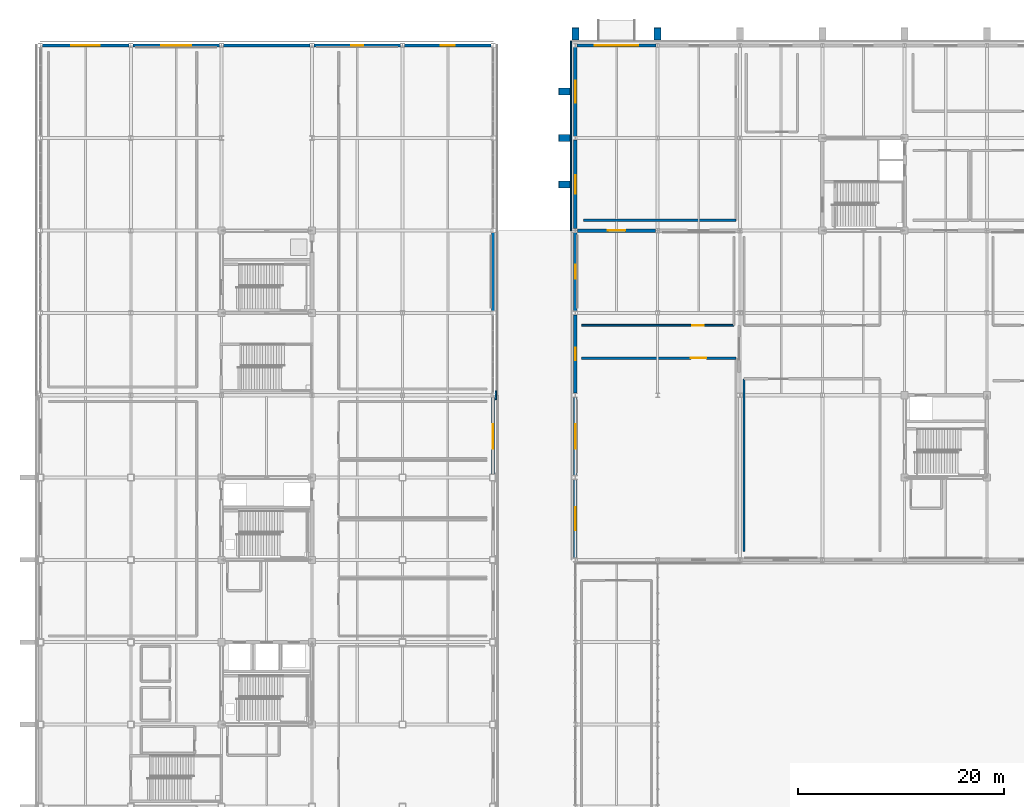
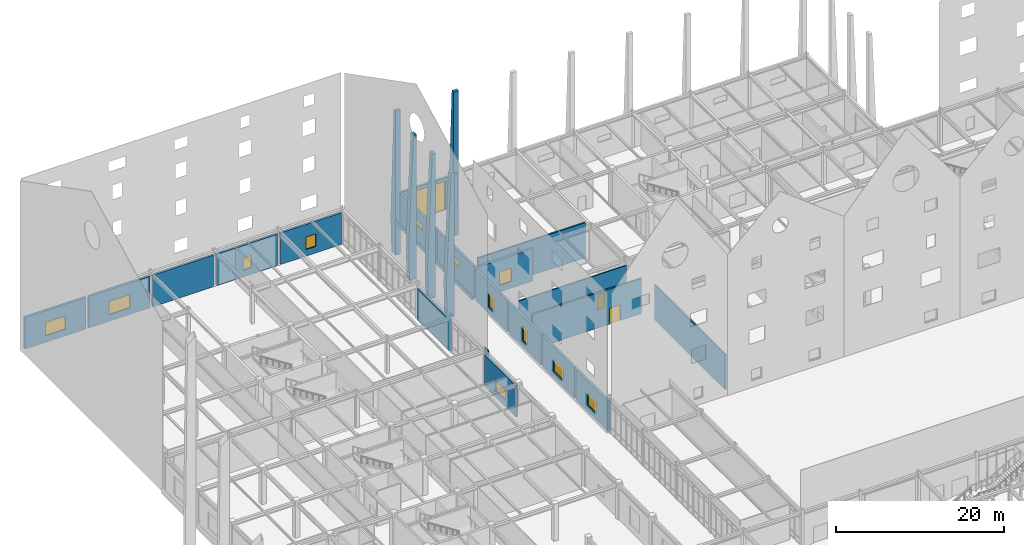
# One storey, part 92 of 119: 26 walls, 12 windows, 3 doors, 15 openings.
"""IFC4 building model written with IfcOpenShell, lengths in metres."""

from ifc_helpers import new_model, si_unit, direction, frame, frame_2d, origin, place, context, subcontext, project, spatial, polyline, rectangle, outline, extrude, material, layer, layer_set, type_object, element, fill, save


model = new_model("IFC4")

# Units and contexts
model_context = context("Model", 3, precision=1e-05, world=origin(), true_north=direction((0.0, 1.0)))
body_context = subcontext(model_context, "Body", "Model", "MODEL_VIEW")
ifc_project = project(units=[si_unit("LENGTHUNIT", "METRE"), si_unit("AREAUNIT", "SQUARE_METRE"), si_unit("VOLUMEUNIT", "CUBIC_METRE"), si_unit("PLANEANGLEUNIT", "RADIAN"), si_unit("MASSUNIT", "GRAM", prefix="KILO")], contexts=[model_context])

# Site, building, storey
site_placement = place(None, origin())
site = spatial("IfcSite", under=ifc_project, at=site_placement, CompositionType="ELEMENT")
building_placement = place(site_placement, origin())
building = spatial("IfcBuilding", under=site, at=building_placement, Name="Zhaolan Boulevard Law Courts", CompositionType="ELEMENT")
storey_placement = place(building_placement, origin())
storey = spatial("IfcBuildingStorey", under=building, at=storey_placement, Name="L00", CompositionType="ELEMENT", Elevation=0.0)

# Walls
ifc_material_1 = material(Name="Concrete C40", Category="concrete")
ifc_layer_1 = layer(ifc_material_1, 0.139892578125)
ifc_layer_set_1 = layer_set([ifc_layer_1])
wall_type_1 = type_object("IfcWallType", Name="EXT WALL ARCH CLAD140", PredefinedType="SOLIDWALL", material=ifc_layer_set_1)
wall_1_placement = place(storey_placement, frame((44.280029296875, 77.580078125, 0.0), z_axis=(0.0, 0.0, 1.0), x_axis=(0.0, 1.0, 0.0)))
element("IfcWall", 1, at=wall_1_placement, inside=storey, type_object=wall_type_1, Name="Concrete Column Cloak Pier CPR-037", PredefinedType="SOLIDWALL", context=body_context, shape_type="SweptSolid", body=[
    extrude(rectangle(XDim=0.83984375, YDim=0.139892578125, at=frame_2d((0.419921875, 0.0))), origin(), (0.0, 0.0, 1.0), 5.139892578125),
])
ifc_material_2 = material(Name="Concrete C40", Category="concrete")
ifc_layer_2 = layer(ifc_material_2, 0.159912109375)
ifc_layer_set_2 = layer_set([ifc_layer_2])
wall_type_2 = type_object("IfcWallType", Name="EXT WALL ARCH CLAD160", PredefinedType="SOLIDWALL", material=ifc_layer_set_2)
wall_2_placement = place(storey_placement, frame((51.580078125, 112.419921875, 0.0), z_axis=(0.0, 0.0, 1.0), x_axis=(0.0, -1.0, 0.0)))
element("IfcWall", 2, at=wall_2_placement, inside=storey, type_object=wall_type_2, Name="Custody Concrete Spandrel Band CBW-252", PredefinedType="SOLIDWALL", context=body_context, shape_type="SweptSolid", body=[
    extrude(rectangle(XDim=18.419921875, YDim=0.159912109375, at=frame_2d((9.2099609375, 0.0))), origin(), (0.0, 0.0, 1.0), 0.550048828125),
])
ifc_material_3 = material(Name="Concrete C40", Category="concrete")
ifc_layer_3 = layer(ifc_material_3, 0.679931640625)
ifc_layer_set_3 = layer_set([ifc_layer_3])
wall_type_3 = type_object("IfcWallType", Name="EXT WALL BUTTRESS680", PredefinedType="SOLIDWALL", material=ifc_layer_set_3)
for number, where, z_axis, x_axis, name in (
    (3, (52.0, 112.5400390625, -4.800048828125), (0.0, 0.0, 1.0), (0.0, 1.0, 0.0), "Custody Battered Concrete Pier BTR-236"),
    (4, (60.0, 112.5400390625, -4.800048828125), (0.0, 0.0, 1.0), (0.0, 1.0, 0.0), "Custody Battered Concrete Pier BTR-237"),
):
    element("IfcWall", number, at=place(storey_placement, frame(where, z_axis=z_axis, x_axis=x_axis)), inside=storey, type_object=wall_type_3, Name=name, PredefinedType="SOLIDWALL", context=body_context, shape_type="SweptSolid", body=[
        extrude(outline(polyline([(0.0, 0.0), (1.0, 0.0), (1.199951171875, 5.050048828125), (0.449951171875, 21.0), (0.0, 21.0), (0.0, 0.0)])), frame((0.0, 0.33984375, 0.0), z_axis=(0.0, -1.0, 0.0), x_axis=(1.0, 0.0, 0.0)), (0.0, 0.0, 1.0), 0.679931640625),
    ])
for number, where, z_axis, x_axis, name in (
    (5, (51.4599609375, 98.5, -4.800048828125), (0.0, 0.0, 1.0), (-1.0, 0.0, 0.0), "Custody Battered Concrete Pier BTR-244"),
    (6, (51.4599609375, 103.0, -4.800048828125), (0.0, 0.0, 1.0), (-1.0, 0.0, 0.0), "Custody Battered Concrete Pier BTR-246"),
    (7, (51.4599609375, 107.5, -4.800048828125), (0.0, 0.0, 1.0), (-1.0, 0.0, 0.0), "Custody Battered Concrete Pier BTR-248"),
):
    element("IfcWall", number, at=place(storey_placement, frame(where, z_axis=z_axis, x_axis=x_axis)), inside=storey, type_object=wall_type_3, Name=name, PredefinedType="SOLIDWALL", context=body_context, shape_type="SweptSolid", body=[
        extrude(outline(polyline([(0.0, 0.0), (1.0, 0.0), (1.10009765625, 5.050048828125), (0.449951171875, 21.0), (0.0, 21.0), (0.0, 0.0)])), frame((0.0, 0.33984375, 0.0), z_axis=(0.0, -1.0, 0.0), x_axis=(1.0, 0.0, 0.0)), (0.0, 0.0, 1.0), 0.679931640625),
    ])

# Wall, opening, window
ifc_material_4 = material(Name="Concrete C40", Category="concrete")
ifc_layer_4 = layer(ifc_material_4, 0.320068359375)
ifc_layer_set_4 = layer_set([ifc_layer_4])
wall_type_4 = type_object("IfcWallType", Name="EXT WALL CONCRETE320", PredefinedType="SOLIDWALL", material=ifc_layer_set_4)
wall_3_placement = place(storey_placement, frame((59.803955078125, 94.0, 0.0), z_axis=(0.0, 0.0, 1.0), x_axis=(-1.0, 0.0, 0.0)))
wall_3 = element("IfcWall", 8, at=wall_3_placement, inside=storey, type_object=wall_type_4, Name="Exterior Wall EW-L00-185", PredefinedType="SOLIDWALL", context=body_context, shape_type="SweptSolid", body=[
    extrude(rectangle(XDim=7.60791015625, YDim=0.320068359375, at=frame_2d((3.803955078125, 0.0))), origin(), (0.0, 0.0, 1.0), 4.6630859375),
])
opening_1_placement = place(wall_3_placement, frame((2.9541015625, 0.0, 0.949951171875)))
opening_1 = element("IfcOpeningElement", 9, at=opening_1_placement, cuts=wall_3, Name="Opening WIN-L00-043", PredefinedType="OPENING", context=body_context, shape_type="SweptSolid", body=[
    extrude(rectangle(XDim=1.699951171875, YDim=1.949951171875, at=frame_2d((0.85009765625, 0.97509765625))), frame((0.0, 0.169921875, 0.0), z_axis=(0.0, -1.0, 0.0), x_axis=(1.0, 0.0, 0.0)), (0.0, 0.0, 1.0), 0.340087890625),
])
ifc_material_5 = material(Name="Thermally broken aluminium and low-E glazing", Category="aluminium")
window_type_1 = type_object("IfcWindowType", Name="WINDOW 1700X1950", PartitioningType="SINGLE_PANEL", PredefinedType="WINDOW", material=ifc_material_5)
window_1_placement = place(opening_1_placement, origin())
window_1 = element("IfcWindow", 10, at=window_1_placement, inside=storey, type_object=window_type_1, Name="Exterior Window WIN-L00-043", OverallHeight=1.949951171875, OverallWidth=1.699951171875, PartitioningType="SINGLE_PANEL", PredefinedType="WINDOW", context=body_context, shape_type="SweptSolid", body=[
    extrude(rectangle(XDim=1.699951171875, YDim=1.949951171875, at=frame_2d((0.85009765625, 0.97509765625))), frame((0.0, 0.030029296875, 0.0), z_axis=(0.0, -1.0, 0.0), x_axis=(1.0, 0.0, 0.0)), (0.0, 0.0, 1.0), 0.06005859375),
])
fill(opening_1, window_1)

wall_4_placement = place(storey_placement, frame((52.0, 69.803955078125, 0.0), z_axis=(0.0, 0.0, 1.0), x_axis=(0.0, -1.0, 0.0)))
wall_4 = element("IfcWall", 11, at=wall_4_placement, inside=storey, type_object=wall_type_4, Name="Exterior Wall EW-L00-197", PredefinedType="SOLIDWALL", context=body_context, shape_type="SweptSolid", body=[
    extrude(rectangle(XDim=7.60791015625, YDim=0.320068359375, at=frame_2d((3.803955078125, 0.0))), origin(), (0.0, 0.0, 1.0), 4.5029296875),
])
opening_2_placement = place(wall_4_placement, frame((2.7041015625, 0.0, 0.949951171875)))
opening_2 = element("IfcOpeningElement", 12, at=opening_2_placement, cuts=wall_4, Name="Opening WIN-L00-055", PredefinedType="OPENING", context=body_context, shape_type="SweptSolid", body=[
    extrude(rectangle(XDim=2.199951171875, YDim=1.800048828125, at=frame_2d((1.10009765625, 0.89990234375))), frame((0.0, 0.169921875, 0.0), z_axis=(0.0, -1.0, 0.0), x_axis=(1.0, 0.0, 0.0)), (0.0, 0.0, 1.0), 0.340087890625),
])
ifc_material_6 = material(Name="Thermally broken aluminium and low-E glazing", Category="aluminium")
window_type_2 = type_object("IfcWindowType", Name="WINDOW 2200X1800", PartitioningType="DOUBLE_PANEL_VERTICAL", PredefinedType="WINDOW", material=ifc_material_6)
window_2_placement = place(opening_2_placement, origin())
window_2 = element("IfcWindow", 13, at=window_2_placement, inside=storey, type_object=window_type_2, Name="Exterior Window WIN-L00-055", OverallHeight=1.800048828125, OverallWidth=2.199951171875, PartitioningType="SINGLE_PANEL", PredefinedType="WINDOW", context=body_context, shape_type="SweptSolid", body=[
    extrude(rectangle(XDim=2.199951171875, YDim=1.800048828125, at=frame_2d((1.10009765625, 0.89990234375))), frame((0.0, 0.030029296875, 0.0), z_axis=(0.0, -1.0, 0.0), x_axis=(1.0, 0.0, 0.0)), (0.0, 0.0, 1.0), 0.06005859375),
])
fill(opening_2, window_2)

wall_5_placement = place(storey_placement, frame((52.0, 77.803955078125, 0.0), z_axis=(0.0, 0.0, 1.0), x_axis=(0.0, -1.0, 0.0)))
wall_5 = element("IfcWall", 14, at=wall_5_placement, inside=storey, type_object=wall_type_4, Name="Exterior Wall EW-L00-198", PredefinedType="SOLIDWALL", context=body_context, shape_type="SweptSolid", body=[
    extrude(rectangle(XDim=7.60791015625, YDim=0.320068359375, at=frame_2d((3.803955078125, 0.0))), origin(), (0.0, 0.0, 1.0), 4.5029296875),
])
opening_3_placement = place(wall_5_placement, frame((2.60400390625, 0.0, 0.949951171875)))
opening_3 = element("IfcOpeningElement", 15, at=opening_3_placement, cuts=wall_5, Name="Opening WIN-L00-056", PredefinedType="OPENING", context=body_context, shape_type="SweptSolid", body=[
    extrude(rectangle(XDim=2.39990234375, YDim=1.800048828125, at=frame_2d((1.199951171875, 0.89990234375))), frame((0.0, 0.169921875, 0.0), z_axis=(0.0, -1.0, 0.0), x_axis=(1.0, 0.0, 0.0)), (0.0, 0.0, 1.0), 0.340087890625),
])
ifc_material_7 = material(Name="Thermally broken aluminium and low-E glazing", Category="aluminium")
window_type_3 = type_object("IfcWindowType", Name="WINDOW 2400X1800", PartitioningType="DOUBLE_PANEL_VERTICAL", PredefinedType="WINDOW", material=ifc_material_7)
window_3_placement = place(opening_3_placement, origin())
window_3 = element("IfcWindow", 16, at=window_3_placement, inside=storey, type_object=window_type_3, Name="Exterior Window WIN-L00-056", OverallHeight=1.800048828125, OverallWidth=2.39990234375, PartitioningType="SINGLE_PANEL", PredefinedType="WINDOW", context=body_context, shape_type="SweptSolid", body=[
    extrude(rectangle(XDim=2.39990234375, YDim=1.800048828125, at=frame_2d((1.199951171875, 0.89990234375))), frame((0.0, 0.030029296875, 0.0), z_axis=(0.0, -1.0, 0.0), x_axis=(1.0, 0.0, 0.0)), (0.0, 0.0, 1.0), 0.06005859375),
])
fill(opening_3, window_3)

wall_6_placement = place(storey_placement, frame((52.0, 85.803955078125, 0.0), z_axis=(0.0, 0.0, 1.0), x_axis=(0.0, -1.0, 0.0)))
wall_6 = element("IfcWall", 17, at=wall_6_placement, inside=storey, type_object=wall_type_4, Name="Exterior Wall EW-L00-199", PredefinedType="SOLIDWALL", context=body_context, shape_type="SweptSolid", body=[
    extrude(rectangle(XDim=7.60791015625, YDim=0.320068359375, at=frame_2d((3.803955078125, 0.0))), origin(), (0.0, 0.0, 1.0), 4.5029296875),
])
opening_4_placement = place(wall_6_placement, frame((3.2041015625, 0.0, 0.949951171875)))
opening_4 = element("IfcOpeningElement", 18, at=opening_4_placement, cuts=wall_6, Name="Opening WIN-L00-057", PredefinedType="OPENING", context=body_context, shape_type="SweptSolid", body=[
    extrude(rectangle(XDim=1.199951171875, YDim=2.10009765625, at=frame_2d((0.60009765625, 1.050048828125))), frame((0.0, 0.169921875, 0.0), z_axis=(0.0, -1.0, 0.0), x_axis=(1.0, 0.0, 0.0)), (0.0, 0.0, 1.0), 0.340087890625),
])
ifc_material_8 = material(Name="Thermally broken aluminium and low-E glazing", Category="aluminium")
window_type_4 = type_object("IfcWindowType", Name="WINDOW 1200X2100", PartitioningType="SINGLE_PANEL", PredefinedType="WINDOW", material=ifc_material_8)
window_4_placement = place(opening_4_placement, origin())
window_4 = element("IfcWindow", 19, at=window_4_placement, inside=storey, type_object=window_type_4, Name="Exterior Window WIN-L00-057", OverallHeight=2.10009765625, OverallWidth=1.199951171875, PartitioningType="SINGLE_PANEL", PredefinedType="WINDOW", context=body_context, shape_type="SweptSolid", body=[
    extrude(rectangle(XDim=1.199951171875, YDim=2.10009765625, at=frame_2d((0.60009765625, 1.050048828125))), frame((0.0, 0.030029296875, 0.0), z_axis=(0.0, -1.0, 0.0), x_axis=(1.0, 0.0, 0.0)), (0.0, 0.0, 1.0), 0.06005859375),
])
fill(opening_4, window_4)

wall_7_placement = place(storey_placement, frame((52.0, 93.803955078125, 0.0), z_axis=(0.0, 0.0, 1.0), x_axis=(0.0, -1.0, 0.0)))
wall_7 = element("IfcWall", 20, at=wall_7_placement, inside=storey, type_object=wall_type_4, Name="Exterior Wall EW-L00-200", PredefinedType="SOLIDWALL", context=body_context, shape_type="SweptSolid", body=[
    extrude(rectangle(XDim=7.60791015625, YDim=0.320068359375, at=frame_2d((3.803955078125, 0.0))), origin(), (0.0, 0.0, 1.0), 4.5029296875),
])
opening_5_placement = place(wall_7_placement, frame((3.12890625, 0.0, 0.949951171875)))
opening_5 = element("IfcOpeningElement", 21, at=opening_5_placement, cuts=wall_7, Name="Opening WIN-L00-058", PredefinedType="OPENING", context=body_context, shape_type="SweptSolid", body=[
    extrude(rectangle(XDim=1.35009765625, YDim=2.10009765625, at=frame_2d((0.675048828125, 1.050048828125))), frame((0.0, 0.169921875, 0.0), z_axis=(0.0, -1.0, 0.0), x_axis=(1.0, 0.0, 0.0)), (0.0, 0.0, 1.0), 0.340087890625),
])
ifc_material_9 = material(Name="Thermally broken aluminium and low-E glazing", Category="aluminium")
window_type_5 = type_object("IfcWindowType", Name="WINDOW 1350X2100", PartitioningType="SINGLE_PANEL", PredefinedType="WINDOW", material=ifc_material_9)
window_5_placement = place(opening_5_placement, origin())
window_5 = element("IfcWindow", 22, at=window_5_placement, inside=storey, type_object=window_type_5, Name="Exterior Window WIN-L00-058", OverallHeight=2.10009765625, OverallWidth=1.35009765625, PartitioningType="SINGLE_PANEL", PredefinedType="WINDOW", context=body_context, shape_type="SweptSolid", body=[
    extrude(rectangle(XDim=1.35009765625, YDim=2.10009765625, at=frame_2d((0.675048828125, 1.050048828125))), frame((0.0, 0.030029296875, 0.0), z_axis=(0.0, -1.0, 0.0), x_axis=(1.0, 0.0, 0.0)), (0.0, 0.0, 1.0), 0.06005859375),
])
fill(opening_5, window_5)

# Wall, opening, door
wall_8_placement = place(storey_placement, frame((59.8291015625, 112.0, 0.0), z_axis=(0.0, 0.0, 1.0), x_axis=(-1.0, 0.0, 0.0)))
wall_8 = element("IfcWall", 23, at=wall_8_placement, inside=storey, type_object=wall_type_4, Name="Exterior Wall EW-L00-306", PredefinedType="SOLIDWALL", context=body_context, shape_type="SweptSolid", body=[
    extrude(rectangle(XDim=7.658203125, YDim=0.320068359375, at=frame_2d((3.8291015625, 0.0))), origin(), (0.0, 0.0, 1.0), 4.68310546875),
])
opening_6_placement = place(wall_8_placement, frame((1.72900390625, 0.0, 0.0)))
opening_6 = element("IfcOpeningElement", 24, at=opening_6_placement, cuts=wall_8, Name="Opening VD-01", PredefinedType="OPENING", context=body_context, shape_type="SweptSolid", body=[
    extrude(rectangle(XDim=4.199951171875, YDim=4.199951171875, at=frame_2d((2.10009765625, 2.10009765625))), frame((0.0, 0.169921875, 0.0), z_axis=(0.0, -1.0, 0.0), x_axis=(1.0, 0.0, 0.0)), (0.0, 0.0, 1.0), 0.340087890625),
])
ifc_material_10 = material(Name="Insulated powder-coated steel and safety glass", Category="steel")
door_type_1 = type_object("IfcDoorType", Name="SALLY PORT SHUTTER 4200", OperationType="ROLLINGUP", PredefinedType="GATE", material=ifc_material_10)
door_1_placement = place(opening_6_placement, origin())
door_1 = element("IfcDoor", 25, at=door_1_placement, inside=storey, type_object=door_type_1, Name="Sally-Port Vehicle Shutter VD-01", OperationType="ROLLINGUP", OverallHeight=4.199951171875, OverallWidth=4.199951171875, PredefinedType="GATE", context=body_context, shape_type="SweptSolid", body=[
    extrude(rectangle(XDim=4.199951171875, YDim=4.199951171875, at=frame_2d((2.10009765625, 2.10009765625))), frame((0.0, 0.02490234375, 0.0), z_axis=(0.0, -1.0, 0.0), x_axis=(1.0, 0.0, 0.0)), (0.0, 0.0, 1.0), 0.050048828125),
])
fill(opening_6, door_1)

# Wall, opening, window
wall_9_placement = place(storey_placement, frame((52.0, 102.8291015625, 0.0), z_axis=(0.0, 0.0, 1.0), x_axis=(0.0, -1.0, 0.0)))
wall_9 = element("IfcWall", 26, at=wall_9_placement, inside=storey, type_object=wall_type_4, Name="Exterior Wall EW-L00-313", PredefinedType="SOLIDWALL", context=body_context, shape_type="SweptSolid", body=[
    extrude(rectangle(XDim=8.633056640625, YDim=0.320068359375, at=frame_2d((4.31640625, 0.0))), origin(), (0.0, 0.0, 1.0), 4.64111328125),
])
opening_7_placement = place(wall_9_placement, frame((3.428955078125, 0.0, 2.39990234375)))
opening_7 = element("IfcOpeningElement", 27, at=opening_7_placement, cuts=wall_9, Name="Opening WIN-L00-169", PredefinedType="OPENING", context=body_context, shape_type="SweptSolid", body=[
    extrude(rectangle(XDim=1.800048828125, YDim=0.85009765625, at=frame_2d((0.89990234375, 0.425048828125))), frame((0.0, 0.169921875, 0.0), z_axis=(0.0, -1.0, 0.0), x_axis=(1.0, 0.0, 0.0)), (0.0, 0.0, 1.0), 0.340087890625),
])
ifc_material_11 = material(Name="Thermally broken aluminium and low-E glazing", Category="aluminium")
window_type_6 = type_object("IfcWindowType", Name="WINDOW 1800X850", PartitioningType="DOUBLE_PANEL_VERTICAL", PredefinedType="WINDOW", material=ifc_material_11)
window_6_placement = place(opening_7_placement, origin())
window_6 = element("IfcWindow", 28, at=window_6_placement, inside=storey, type_object=window_type_6, Name="Exterior Window WIN-L00-169", OverallHeight=0.85009765625, OverallWidth=1.800048828125, PartitioningType="SINGLE_PANEL", PredefinedType="WINDOW", context=body_context, shape_type="SweptSolid", body=[
    extrude(rectangle(XDim=1.800048828125, YDim=0.85009765625, at=frame_2d((0.89990234375, 0.425048828125))), frame((0.0, 0.030029296875, 0.0), z_axis=(0.0, -1.0, 0.0), x_axis=(1.0, 0.0, 0.0)), (0.0, 0.0, 1.0), 0.06005859375),
])
fill(opening_7, window_6)

wall_10_placement = place(storey_placement, frame((52.0, 111.8291015625, 0.0), z_axis=(0.0, 0.0, 1.0), x_axis=(0.0, -1.0, 0.0)))
wall_10 = element("IfcWall", 29, at=wall_10_placement, inside=storey, type_object=wall_type_4, Name="Exterior Wall EW-L00-314", PredefinedType="SOLIDWALL", context=body_context, shape_type="SweptSolid", body=[
    extrude(rectangle(XDim=8.658203125, YDim=0.320068359375, at=frame_2d((4.3291015625, 0.0))), origin(), (0.0, 0.0, 1.0), 4.64111328125),
])
opening_8_placement = place(wall_10_placement, frame((3.279052734375, 0.0, 2.39990234375)))
opening_8 = element("IfcOpeningElement", 30, at=opening_8_placement, cuts=wall_10, Name="Opening WIN-L00-170", PredefinedType="OPENING", context=body_context, shape_type="SweptSolid", body=[
    extrude(rectangle(XDim=2.10009765625, YDim=0.85009765625, at=frame_2d((1.050048828125, 0.425048828125))), frame((0.0, 0.169921875, 0.0), z_axis=(0.0, -1.0, 0.0), x_axis=(1.0, 0.0, 0.0)), (0.0, 0.0, 1.0), 0.340087890625),
])
ifc_material_12 = material(Name="Thermally broken aluminium and low-E glazing", Category="aluminium")
window_type_7 = type_object("IfcWindowType", Name="WINDOW 2100X850", PartitioningType="DOUBLE_PANEL_VERTICAL", PredefinedType="WINDOW", material=ifc_material_12)
window_7_placement = place(opening_8_placement, origin())
window_7 = element("IfcWindow", 31, at=window_7_placement, inside=storey, type_object=window_type_7, Name="Exterior Window WIN-L00-170", OverallHeight=0.85009765625, OverallWidth=2.10009765625, PartitioningType="SINGLE_PANEL", PredefinedType="WINDOW", context=body_context, shape_type="SweptSolid", body=[
    extrude(rectangle(XDim=2.10009765625, YDim=0.85009765625, at=frame_2d((1.050048828125, 0.425048828125))), frame((0.0, 0.030029296875, 0.0), z_axis=(0.0, -1.0, 0.0), x_axis=(1.0, 0.0, 0.0)), (0.0, 0.0, 1.0), 0.06005859375),
])
fill(opening_8, window_7)

wall_11_placement = place(storey_placement, frame((8.60400390625, 112.0, 0.0), z_axis=(0.0, 0.0, 1.0), x_axis=(-1.0, 0.0, 0.0)))
wall_11 = element("IfcWall", 32, at=wall_11_placement, inside=storey, type_object=wall_type_4, Name="Exterior Wall EW-L00-339", PredefinedType="SOLIDWALL", context=body_context, shape_type="SweptSolid", body=[
    extrude(rectangle(XDim=8.407958984375, YDim=0.320068359375, at=frame_2d((4.2041015625, 0.0))), origin(), (0.0, 0.0, 1.0), 4.614990234375),
])
opening_9_placement = place(wall_11_placement, frame((2.8291015625, 0.0, 0.949951171875)))
opening_9 = element("IfcOpeningElement", 33, at=opening_9_placement, cuts=wall_11, Name="Opening WIN-L00-194", PredefinedType="OPENING", context=body_context, shape_type="SweptSolid", body=[
    extrude(rectangle(XDim=2.75, YDim=1.949951171875, at=frame_2d((1.375, 0.97509765625))), frame((0.0, 0.169921875, 0.0), z_axis=(0.0, -1.0, 0.0), x_axis=(1.0, 0.0, 0.0)), (0.0, 0.0, 1.0), 0.340087890625),
])
ifc_material_13 = material(Name="Thermally broken aluminium and low-E glazing", Category="aluminium")
window_type_8 = type_object("IfcWindowType", Name="WINDOW 2750X1950", PartitioningType="DOUBLE_PANEL_VERTICAL", PredefinedType="WINDOW", material=ifc_material_13)
window_8_placement = place(opening_9_placement, origin())
window_8 = element("IfcWindow", 34, at=window_8_placement, inside=storey, type_object=window_type_8, Name="Exterior Window WIN-L00-194", OverallHeight=1.949951171875, OverallWidth=2.75, PartitioningType="SINGLE_PANEL", PredefinedType="WINDOW", context=body_context, shape_type="SweptSolid", body=[
    extrude(rectangle(XDim=2.75, YDim=1.949951171875, at=frame_2d((1.375, 0.97509765625))), frame((0.0, 0.030029296875, 0.0), z_axis=(0.0, -1.0, 0.0), x_axis=(1.0, 0.0, 0.0)), (0.0, 0.0, 1.0), 0.06005859375),
])
fill(opening_9, window_8)

wall_12_placement = place(storey_placement, frame((17.404052734375, 112.0, 0.0), z_axis=(0.0, 0.0, 1.0), x_axis=(-1.0, 0.0, 0.0)))
wall_12 = element("IfcWall", 35, at=wall_12_placement, inside=storey, type_object=wall_type_4, Name="Exterior Wall EW-L00-340", PredefinedType="SOLIDWALL", context=body_context, shape_type="SweptSolid", body=[
    extrude(rectangle(XDim=8.407958984375, YDim=0.320068359375, at=frame_2d((4.2041015625, 0.0))), origin(), (0.0, 0.0, 1.0), 4.614990234375),
])
opening_10_placement = place(wall_12_placement, frame((2.75390625, 0.0, 0.949951171875)))
opening_10 = element("IfcOpeningElement", 36, at=opening_10_placement, cuts=wall_12, Name="Opening WIN-L00-195", PredefinedType="OPENING", context=body_context, shape_type="SweptSolid", body=[
    extrude(rectangle(XDim=2.89990234375, YDim=1.949951171875, at=frame_2d((1.449951171875, 0.97509765625))), frame((0.0, 0.169921875, 0.0), z_axis=(0.0, -1.0, 0.0), x_axis=(1.0, 0.0, 0.0)), (0.0, 0.0, 1.0), 0.340087890625),
])
ifc_material_14 = material(Name="Thermally broken aluminium and low-E glazing", Category="aluminium")
window_type_9 = type_object("IfcWindowType", Name="WINDOW 2900X1950", PartitioningType="DOUBLE_PANEL_VERTICAL", PredefinedType="WINDOW", material=ifc_material_14)
window_9_placement = place(opening_10_placement, origin())
window_9 = element("IfcWindow", 37, at=window_9_placement, inside=storey, type_object=window_type_9, Name="Exterior Window WIN-L00-195", OverallHeight=1.949951171875, OverallWidth=2.89990234375, PartitioningType="SINGLE_PANEL", PredefinedType="WINDOW", context=body_context, shape_type="SweptSolid", body=[
    extrude(rectangle(XDim=2.89990234375, YDim=1.949951171875, at=frame_2d((1.449951171875, 0.97509765625))), frame((0.0, 0.030029296875, 0.0), z_axis=(0.0, -1.0, 0.0), x_axis=(1.0, 0.0, 0.0)), (0.0, 0.0, 1.0), 0.06005859375),
])
fill(opening_10, window_9)

# Wall
wall_13_placement = place(storey_placement, frame((26.2041015625, 112.0, 0.0), z_axis=(0.0, 0.0, 1.0), x_axis=(-1.0, 0.0, 0.0)))
element("IfcWall", 38, at=wall_13_placement, inside=storey, type_object=wall_type_4, Name="Exterior Wall EW-L00-341", PredefinedType="SOLIDWALL", context=body_context, shape_type="SweptSolid", body=[
    extrude(rectangle(XDim=8.408203125, YDim=0.320068359375, at=frame_2d((4.2041015625, 0.0))), origin(), (0.0, 0.0, 1.0), 4.614990234375),
])

# Wall, opening, window
wall_14_placement = place(storey_placement, frame((35.00390625, 112.0, 0.0), z_axis=(0.0, 0.0, 1.0), x_axis=(-1.0, 0.0, 0.0)))
wall_14 = element("IfcWall", 39, at=wall_14_placement, inside=storey, type_object=wall_type_4, Name="Exterior Wall EW-L00-342", PredefinedType="SOLIDWALL", context=body_context, shape_type="SweptSolid", body=[
    extrude(rectangle(XDim=8.407958984375, YDim=0.320068359375, at=frame_2d((4.2041015625, 0.0))), origin(), (0.0, 0.0, 1.0), 4.614990234375),
])
opening_11_placement = place(wall_14_placement, frame((3.60400390625, 0.0, 0.949951171875)))
opening_11 = element("IfcOpeningElement", 40, at=opening_11_placement, cuts=wall_14, Name="Opening WIN-L00-196", PredefinedType="OPENING", context=body_context, shape_type="SweptSolid", body=[
    extrude(rectangle(XDim=1.199951171875, YDim=1.800048828125, at=frame_2d((0.60009765625, 0.89990234375))), frame((0.0, 0.169921875, 0.0), z_axis=(0.0, -1.0, 0.0), x_axis=(1.0, 0.0, 0.0)), (0.0, 0.0, 1.0), 0.340087890625),
])
ifc_material_15 = material(Name="Thermally broken aluminium and low-E glazing", Category="aluminium")
window_type_10 = type_object("IfcWindowType", Name="WINDOW 1200X1800", PartitioningType="SINGLE_PANEL", PredefinedType="WINDOW", material=ifc_material_15)
window_10_placement = place(opening_11_placement, origin())
window_10 = element("IfcWindow", 41, at=window_10_placement, inside=storey, type_object=window_type_10, Name="Exterior Window WIN-L00-196", OverallHeight=1.800048828125, OverallWidth=1.199951171875, PartitioningType="SINGLE_PANEL", PredefinedType="WINDOW", context=body_context, shape_type="SweptSolid", body=[
    extrude(rectangle(XDim=1.199951171875, YDim=1.800048828125, at=frame_2d((0.60009765625, 0.89990234375))), frame((0.0, 0.030029296875, 0.0), z_axis=(0.0, -1.0, 0.0), x_axis=(1.0, 0.0, 0.0)), (0.0, 0.0, 1.0), 0.06005859375),
])
fill(opening_11, window_10)

wall_15_placement = place(storey_placement, frame((43.803955078125, 112.0, 0.0), z_axis=(0.0, 0.0, 1.0), x_axis=(-1.0, 0.0, 0.0)))
wall_15 = element("IfcWall", 42, at=wall_15_placement, inside=storey, type_object=wall_type_4, Name="Exterior Wall EW-L00-343", PredefinedType="SOLIDWALL", context=body_context, shape_type="SweptSolid", body=[
    extrude(rectangle(XDim=8.407958984375, YDim=0.320068359375, at=frame_2d((4.2041015625, 0.0))), origin(), (0.0, 0.0, 1.0), 4.614990234375),
])
opening_12_placement = place(wall_15_placement, frame((3.529052734375, 0.0, 0.949951171875)))
opening_12 = element("IfcOpeningElement", 43, at=opening_12_placement, cuts=wall_15, Name="Opening WIN-L00-197", PredefinedType="OPENING", context=body_context, shape_type="SweptSolid", body=[
    extrude(rectangle(XDim=1.35009765625, YDim=1.800048828125, at=frame_2d((0.675048828125, 0.89990234375))), frame((0.0, 0.169921875, 0.0), z_axis=(0.0, -1.0, 0.0), x_axis=(1.0, 0.0, 0.0)), (0.0, 0.0, 1.0), 0.340087890625),
])
ifc_material_16 = material(Name="Thermally broken aluminium and low-E glazing", Category="aluminium")
window_type_11 = type_object("IfcWindowType", Name="WINDOW 1350X1800", PartitioningType="SINGLE_PANEL", PredefinedType="WINDOW", material=ifc_material_16)
window_11_placement = place(opening_12_placement, origin())
window_11 = element("IfcWindow", 44, at=window_11_placement, inside=storey, type_object=window_type_11, Name="Exterior Window WIN-L00-197", OverallHeight=1.800048828125, OverallWidth=1.35009765625, PartitioningType="SINGLE_PANEL", PredefinedType="WINDOW", context=body_context, shape_type="SweptSolid", body=[
    extrude(rectangle(XDim=1.35009765625, YDim=1.800048828125, at=frame_2d((0.675048828125, 0.89990234375))), frame((0.0, 0.030029296875, 0.0), z_axis=(0.0, -1.0, 0.0), x_axis=(1.0, 0.0, 0.0)), (0.0, 0.0, 1.0), 0.06005859375),
])
fill(opening_12, window_11)

# Wall
wall_16_placement = place(storey_placement, frame((44.0, 86.196044921875, 0.0), z_axis=(0.0, 0.0, 1.0), x_axis=(0.0, 1.0, 0.0)))
element("IfcWall", 45, at=wall_16_placement, inside=storey, type_object=wall_type_4, Name="Exterior Wall EW-L00-344", PredefinedType="SOLIDWALL", context=body_context, shape_type="SweptSolid", body=[
    extrude(rectangle(XDim=7.60791015625, YDim=0.320068359375, at=frame_2d((3.803955078125, 0.0))), origin(), (0.0, 0.0, 1.0), 4.5029296875),
])

# Wall, opening, window
wall_17_placement = place(storey_placement, frame((44.0, 70.321044921875, 0.0), z_axis=(0.0, 0.0, 1.0), x_axis=(0.0, 1.0, 0.0)))
wall_17 = element("IfcWall", 46, at=wall_17_placement, inside=storey, type_object=wall_type_4, Name="Exterior Wall EW-L00-376", PredefinedType="SOLIDWALL", context=body_context, shape_type="SweptSolid", body=[
    extrude(rectangle(XDim=7.48291015625, YDim=0.320068359375, at=frame_2d((3.741455078125, 0.0))), origin(), (0.0, 0.0, 1.0), 4.52294921875),
])
opening_13_placement = place(wall_17_placement, frame((2.47900390625, 0.0, 0.949951171875)))
opening_13 = element("IfcOpeningElement", 47, at=opening_13_placement, cuts=wall_17, Name="Opening WIN-L00-227", PredefinedType="OPENING", context=body_context, shape_type="SweptSolid", body=[
    extrude(rectangle(XDim=2.39990234375, YDim=1.5, at=frame_2d((1.199951171875, 0.75))), frame((0.0, 0.169921875, 0.0), z_axis=(0.0, -1.0, 0.0), x_axis=(1.0, 0.0, 0.0)), (0.0, 0.0, 1.0), 0.340087890625),
])
ifc_material_17 = material(Name="Thermally broken aluminium and low-E glazing", Category="aluminium")
window_type_12 = type_object("IfcWindowType", Name="WINDOW 2400X1500", PartitioningType="DOUBLE_PANEL_VERTICAL", PredefinedType="WINDOW", material=ifc_material_17)
window_12_placement = place(opening_13_placement, origin())
window_12 = element("IfcWindow", 48, at=window_12_placement, inside=storey, type_object=window_type_12, Name="Exterior Window WIN-L00-227", OverallHeight=1.5, OverallWidth=2.39990234375, PartitioningType="SINGLE_PANEL", PredefinedType="WINDOW", context=body_context, shape_type="SweptSolid", body=[
    extrude(rectangle(XDim=2.39990234375, YDim=1.5, at=frame_2d((1.199951171875, 0.75))), frame((0.0, 0.030029296875, 0.0), z_axis=(0.0, -1.0, 0.0), x_axis=(1.0, 0.0, 0.0)), (0.0, 0.0, 1.0), 0.06005859375),
])
fill(opening_13, window_12)

# Wall, opening, door
ifc_material_18 = material(Name="Fire-rated gypsum stud partition")
ifc_layer_5 = layer(ifc_material_18, 0.159912109375)
ifc_layer_set_5 = layer_set([ifc_layer_5])
wall_type_5 = type_object("IfcWallType", Name="PART WALL CHAMB160", PredefinedType="PARTITIONING", material=ifc_layer_set_5)
wall_18_placement = place(storey_placement, frame((52.60009765625, 84.800048828125, 0.0), z_axis=(0.0, 0.0, 1.0), x_axis=(1.0, 0.0, 0.0)))
wall_18 = element("IfcWall", 49, at=wall_18_placement, inside=storey, type_object=wall_type_5, Name="Interior Partition PW-L00-282", PredefinedType="PARTITIONING", context=body_context, shape_type="SweptSolid", body=[
    extrude(rectangle(XDim=14.7998046875, YDim=0.159912109375, at=frame_2d((7.39990234375, 0.0))), origin(), (0.0, 0.0, 1.0), 5.1201171875),
])
opening_14_placement = place(wall_18_placement, frame((10.763916015625, 0.0, 0.0)))
opening_14 = element("IfcOpeningElement", 50, at=opening_14_placement, cuts=wall_18, Name="Opening JR-L00-086", PredefinedType="OPENING", context=body_context, shape_type="SweptSolid", body=[
    extrude(rectangle(XDim=1.1201171875, YDim=2.199951171875, at=frame_2d((0.56005859375, 1.10009765625))), frame((0.0, 0.08984375, 0.0), z_axis=(0.0, -1.0, 0.0), x_axis=(1.0, 0.0, 0.0)), (0.0, 0.0, 1.0), 0.179931640625),
])
ifc_material_19 = material(Name="Solid-core acoustic oak veneer door")
door_type_2 = type_object("IfcDoorType", Name="JURY DOOR 1120X2200 R", OperationType="SINGLE_SWING_RIGHT", PredefinedType="DOOR", material=ifc_material_19)
door_2_placement = place(opening_14_placement, origin())
door_2 = element("IfcDoor", 51, at=door_2_placement, inside=storey, type_object=door_type_2, Name="Door JR-L00-086 (Jury Room L00-01)", OperationType="SINGLE_SWING_RIGHT", OverallHeight=2.199951171875, OverallWidth=1.1201171875, PredefinedType="DOOR", context=body_context, shape_type="SweptSolid", body=[
    extrude(rectangle(XDim=1.1201171875, YDim=2.199951171875, at=frame_2d((0.56005859375, 1.10009765625))), frame((0.0, 0.02490234375, 0.0), z_axis=(0.0, -1.0, 0.0), x_axis=(1.0, 0.0, 0.0)), (0.0, 0.0, 1.0), 0.050048828125),
])
fill(opening_14, door_2)

ifc_material_20 = material(Name="Concrete C40", Category="concrete")
ifc_layer_6 = layer(ifc_material_20, 0.219970703125)
ifc_layer_set_6 = layer_set([ifc_layer_6])
wall_type_6 = type_object("IfcWallType", Name="PART WALL COURT220", PredefinedType="PARTITIONING", material=ifc_layer_set_6)
wall_19_placement = place(storey_placement, frame((67.60009765625, 81.60009765625, 0.0), z_axis=(0.0, 0.0, 1.0), x_axis=(-1.0, 0.0, 0.0)))
wall_19 = element("IfcWall", 52, at=wall_19_placement, inside=storey, type_object=wall_type_6, Name="Interior Partition PW-L00-268", PredefinedType="PARTITIONING", context=body_context, shape_type="SweptSolid", body=[
    extrude(rectangle(XDim=15.0, YDim=0.219970703125, at=frame_2d((7.5, 0.0))), origin(), (0.0, 0.0, 1.0), 5.1201171875),
])
opening_15_placement = place(wall_19_placement, frame((2.8798828125, 0.0, 0.0)))
opening_15 = element("IfcOpeningElement", 53, at=opening_15_placement, cuts=wall_19, Name="Opening ID-L00-080", PredefinedType="OPENING", context=body_context, shape_type="SweptSolid", body=[
    extrude(rectangle(XDim=1.5, YDim=2.300048828125, at=frame_2d((0.75, 1.14990234375))), frame((0.0, 0.119873046875, 0.0), z_axis=(0.0, -1.0, 0.0), x_axis=(1.0, 0.0, 0.0)), (0.0, 0.0, 1.0), 0.239990234375),
])
ifc_material_21 = material(Name="Solid-core acoustic oak veneer door")
door_type_3 = type_object("IfcDoorType", Name="COURT DOUBLE 1500X2300", OperationType="DOUBLE_DOOR_SINGLE_SWING", PredefinedType="DOOR", material=ifc_material_21)
door_3_placement = place(opening_15_placement, origin())
door_3 = element("IfcDoor", 54, at=door_3_placement, inside=storey, type_object=door_type_3, Name="Door ID-L00-080 (Criminal Trial Courtroom 01)", OperationType="DOUBLE_DOOR_SINGLE_SWING", OverallHeight=2.300048828125, OverallWidth=1.5, PredefinedType="DOOR", context=body_context, shape_type="SweptSolid", body=[
    extrude(rectangle(XDim=1.5, YDim=2.300048828125, at=frame_2d((0.75, 1.14990234375))), frame((0.0, 0.02490234375, 0.0), z_axis=(0.0, -1.0, 0.0), x_axis=(1.0, 0.0, 0.0)), (0.0, 0.0, 1.0), 0.050048828125),
])
fill(opening_15, door_3)

# Walls
wall_20_placement = place(storey_placement, frame((68.39990234375, 79.60009765625, 0.0), z_axis=(0.0, 0.0, 1.0), x_axis=(0.0, -1.0, 0.0)))
element("IfcWall", 55, at=wall_20_placement, inside=storey, type_object=wall_type_6, Name="Interior Partition PW-L00-271", PredefinedType="PARTITIONING", context=body_context, shape_type="SweptSolid", body=[
    extrude(rectangle(XDim=16.800048828125, YDim=0.219970703125, at=frame_2d((8.39990234375, 0.0))), origin(), (0.0, 0.0, 1.0), 5.1201171875),
])
ifc_material_22 = material(Name="Concrete C40", Category="concrete")
ifc_layer_7 = layer(ifc_material_22, 0.2099609375)
ifc_layer_set_7 = layer_set([ifc_layer_7])
wall_type_7 = type_object("IfcWallType", Name="PART WALL CUSTODY210", PredefinedType="PARTITIONING", material=ifc_layer_set_7)
wall_21_placement = place(storey_placement, frame((52.800048828125, 95.0, 0.0), z_axis=(0.0, 0.0, 1.0), x_axis=(1.0, 0.0, 0.0)))
element("IfcWall", 56, at=wall_21_placement, inside=storey, type_object=wall_type_7, Name="Interior Partition PW-L00-321", PredefinedType="PARTITIONING", context=body_context, shape_type="SweptSolid", body=[
    extrude(rectangle(XDim=14.800048828125, YDim=0.2099609375, at=frame_2d((7.39990234375, 0.0))), origin(), (0.0, 0.0, 1.0), 5.1201171875),
])

save(model, "model.ifc")
